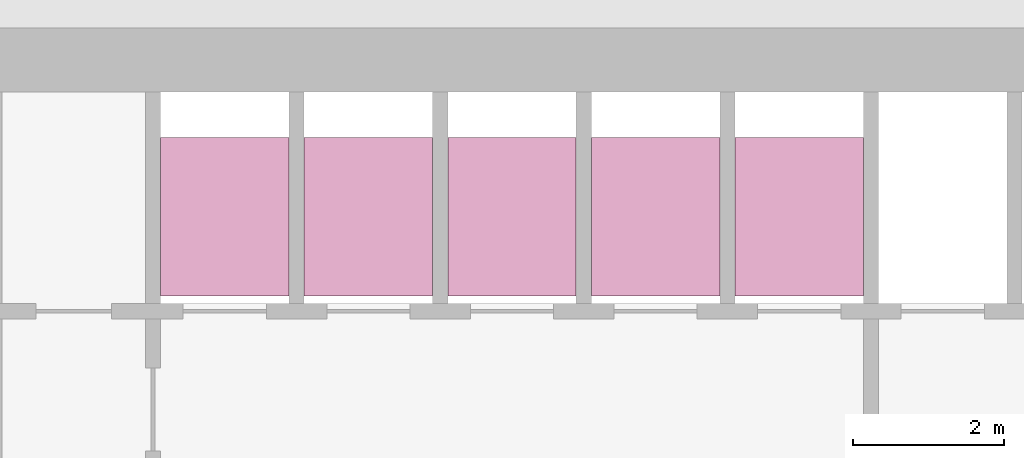
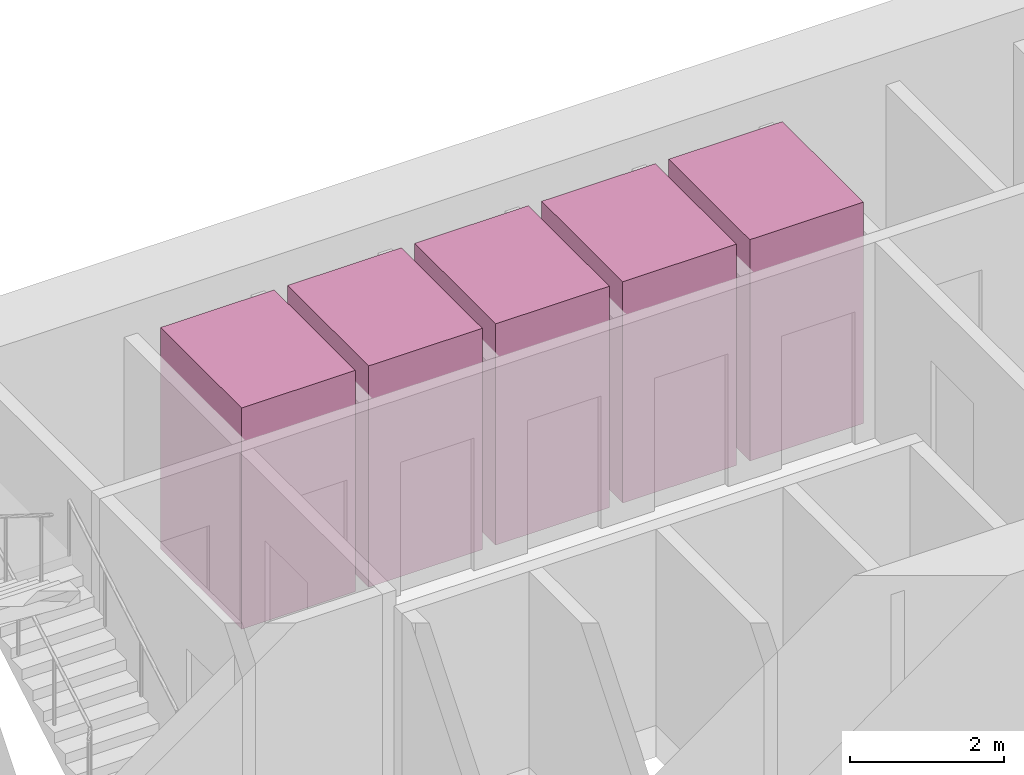
# One storey, part 13 of 13: 5 transport elements.
"""IFC4 building model written with IfcOpenShell, lengths in metres."""

from ifc_helpers import new_model, si_unit, direction, frame, origin, origin_2d, place, context, subcontext, project, spatial, rectangle, extrude, material, type_object, element, save


model = new_model("IFC4")

# Units and contexts
model_context = context("Model", 3, precision=1e-05, world=origin(), true_north=direction((0.0, 1.0)))
body_context = subcontext(model_context, "Body", "Model", "MODEL_VIEW")
ifc_project = project(units=[si_unit("LENGTHUNIT", "METRE"), si_unit("AREAUNIT", "SQUARE_METRE"), si_unit("VOLUMEUNIT", "CUBIC_METRE"), si_unit("PLANEANGLEUNIT", "RADIAN"), si_unit("MASSUNIT", "GRAM", prefix="KILO")], contexts=[model_context])

# Site, building, storey
site_placement = place(None, origin())
site = spatial("IfcSite", under=ifc_project, at=site_placement, CompositionType="ELEMENT")
building_placement = place(site_placement, origin())
building = spatial("IfcBuilding", under=site, at=building_placement, Name="Altiplano Prism Tower", CompositionType="ELEMENT")
storey_placement = place(building_placement, frame((0.0, 0.0, 66.60009765625)))
storey = spatial("IfcBuildingStorey", under=building, at=storey_placement, Name="L16", CompositionType="ELEMENT", Elevation=66.60009765625)

# Transport elements
ifc_material = material(Name="Stainless steel lift car", Category="steel")
transport_element_type = type_object("IfcTransportElementType", Name="Passenger lift car 1600 x 2100", PredefinedType="ELEVATOR", material=ifc_material)
for number, where, z_axis, x_axis, name in (
    (1, (79.050048828125, 101.75, 0.0498046875), (0.0, 0.0, 1.0), (1.0, 0.0, 0.0), "Low Zone Passenger Lift 1"),
    (2, (80.949951171875, 101.75, 0.0498046875), (0.0, 0.0, 1.0), (1.0, 0.0, 0.0), "Low Zone Passenger Lift 2"),
    (3, (82.85009765625, 101.75, 0.0498046875), (0.0, 0.0, 1.0), (1.0, 0.0, 0.0), "Low Zone Passenger Lift 3"),
    (4, (84.75, 101.75, 0.0498046875), (0.0, 0.0, 1.0), (1.0, 0.0, 0.0), "Low Zone Passenger Lift 4"),
    (5, (86.64990234375, 101.75, 0.0498046875), (0.0, 0.0, 1.0), (1.0, 0.0, 0.0), "Low Zone Passenger Lift 5"),
):
    element("IfcTransportElement", number, at=place(storey_placement, frame(where, z_axis=z_axis, x_axis=x_axis)), inside=storey, type_object=transport_element_type, Name=name, PredefinedType="ELEVATOR", context=body_context, shape_type="SweptSolid", body=[
        extrude(rectangle(XDim=1.699951171875, YDim=2.10009765625, at=origin_2d()), origin(), (0.0, 0.0, 1.0), 3.5),
    ])

save(model, "model.ifc")
